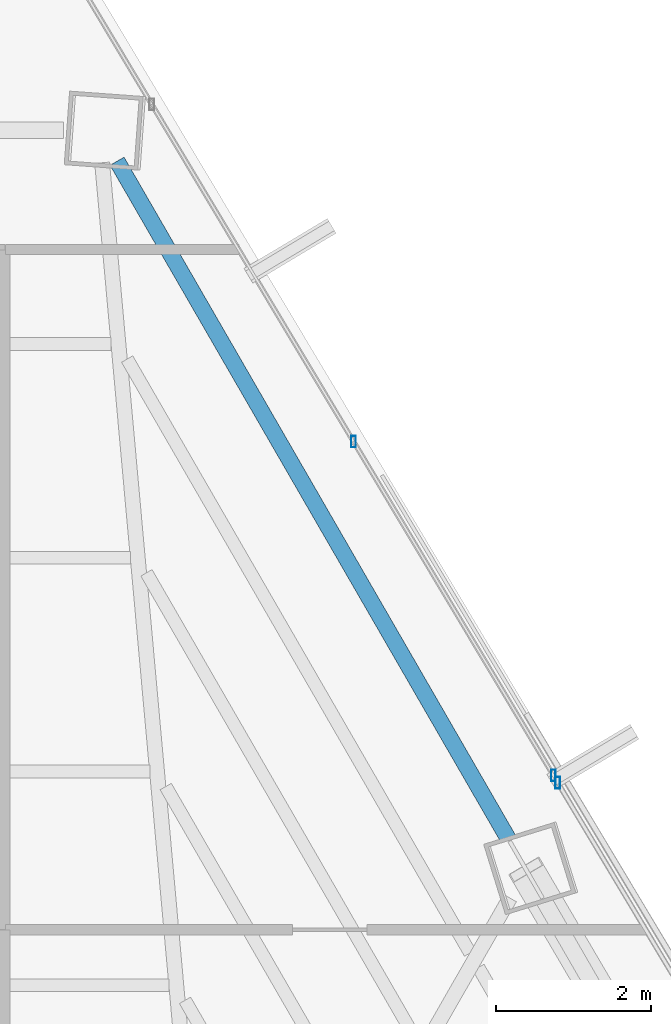
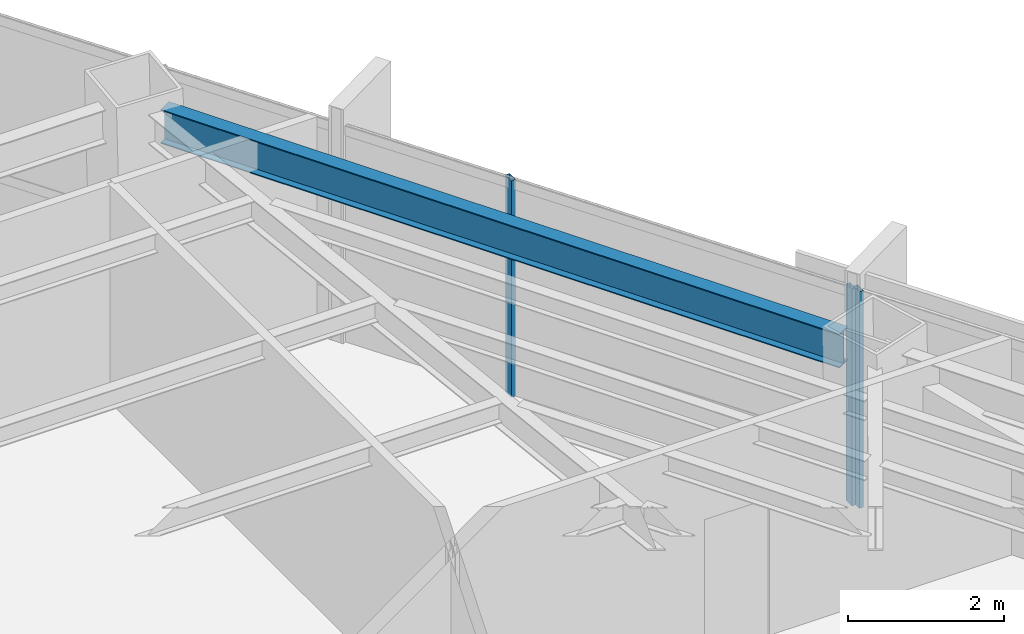
# One storey, part 32 of 41: 3 members, 1 beam, 2 elements without a shape of their own.
"""IFC4 building model written with IfcOpenShell, lengths in metres."""

from ifc_helpers import new_model, si_unit, direction, frame, origin, origin_2d, place, context, subcontext, project, spatial, hollow_rectangle, i_section, extrude, source, transform, mapped, material, material_profile, profile_set, type_object, type_shapes, element, aggregate, save


model = new_model("IFC4")

# Units and contexts
model_context = context("Model", 3, precision=1e-05, world=origin(), true_north=direction((0.0, 1.0)))
body_context = subcontext(model_context, "Body", "Model", "MODEL_VIEW")
ifc_project = project(units=[si_unit("LENGTHUNIT", "METRE"), si_unit("AREAUNIT", "SQUARE_METRE"), si_unit("VOLUMEUNIT", "CUBIC_METRE"), si_unit("PLANEANGLEUNIT", "RADIAN"), si_unit("MASSUNIT", "GRAM", prefix="KILO")], contexts=[model_context])

# Site, building, storey
site_placement = place(None, origin())
site = spatial("IfcSite", under=ifc_project, at=site_placement, CompositionType="ELEMENT")
building_placement = place(site_placement, origin())
building = spatial("IfcBuilding", under=site, at=building_placement, Name="Caelisora Broadcast Tower", CompositionType="ELEMENT")
storey_placement = place(building_placement, frame((0.0, 0.0, 162.14990234375)))
storey = spatial("IfcBuildingStorey", under=building, at=storey_placement, Name="L42", CompositionType="ELEMENT", Elevation=162.14990234375)

# Beam
ifc_material_1 = material(Name="Steel Grade 350 (AS/NZS 3679.1)", Category="steel")
ifc_material_profile_1 = material_profile(ifc_material_1, i_section(OverallWidth=0.208984375, OverallDepth=0.532958984375, WebThickness=0.01025390625, FlangeThickness=0.015625, at=origin_2d()), Name="Steel Grade 350 (AS/NZS 3679.1)")
ifc_profile_set_1 = profile_set([ifc_material_profile_1], Name="Steel Grade 350 (AS/NZS 3679.1)")
beam_type = type_object("IfcBeamType", Name="PG05", PredefinedType="BEAM", material=ifc_profile_set_1)
shared_shape_1 = source(origin(), body_context, "Body", "SweptSolid", [
    extrude(i_section(OverallWidth=0.208984375, OverallDepth=0.532958984375, WebThickness=0.01025390625, FlangeThickness=0.015625, at=origin_2d()), origin(), (0.0, 0.0, 1.0), 10.075439453125),
])
type_shapes(beam_type, [shared_shape_1])
beam_placement = place(storey_placement, frame((49.278076171875, 37.39111328125, 3.133544921875), z_axis=(-0.500009111705, 0.866020143075, 0.0), x_axis=(-0.866020143075, -0.500009111705, 0.0)))
element("IfcBeam", 1, at=beam_placement, inside=storey, type_object=beam_type, Name="L42 beam PG05", PredefinedType="BEAM", context=body_context, shape_type="MappedRepresentation", body=[
    mapped(shared_shape_1, transform((0.0, 0.0, 0.0), scale=1.0)),
])

# Curtain wall, members
ifc_material_2 = material(Name="Unitised Aluminium and Low-E Glass Curtain Wall", Category="glass")
curtain_wall_type_1 = type_object("IfcCurtainWallType", Name="CW-Z3", PredefinedType="NOTDEFINED", material=ifc_material_2)
curtain_wall_1_placement = place(storey_placement, origin())
curtain_wall_1 = element("IfcCurtainWall", 2, at=curtain_wall_1_placement, inside=storey, type_object=curtain_wall_type_1, Name="L42 curtain wall CW-Z3", PredefinedType="NOTDEFINED")
ifc_material_3 = material(Name="Aluminium 6063-T6 Anodised Terracotta Bronze", Category="aluminium")
ifc_material_profile_2 = material_profile(ifc_material_3, hollow_rectangle(XDim=0.06005859375, YDim=0.14990234375, WallThickness=0.00341796875, at=origin_2d()), Name="Aluminium 6063-T6 Anodised Terracotta Bronze")
ifc_profile_set_2 = profile_set([ifc_material_profile_2], Name="Aluminium 6063-T6 Anodised Terracotta Bronze")
member_type = type_object("IfcMemberType", Name="CWM-03", PredefinedType="MULLION", material=ifc_profile_set_2)
shared_shape_2 = source(origin(), body_context, "Body", "SweptSolid", [
    extrude(hollow_rectangle(XDim=0.06005859375, YDim=0.14990234375, WallThickness=0.00341796875, at=origin_2d()), origin(), (0.0, 0.0, 1.0), 3.400146484375),
])
type_shapes(member_type, [shared_shape_2])
member_1_placement = place(storey_placement, frame((47.285888671875, 42.506103515625, 0.0), z_axis=(0.0, 0.0, 1.0), x_axis=(1.0, 0.0, 0.0)))
member_1 = element("IfcMember", 3, at=member_1_placement, type_object=member_type, Name="L42-CW-B01 mullion #2", PredefinedType="MULLION", context=body_context, shape_type="MappedRepresentation", body=[
    mapped(shared_shape_2, transform((0.0, 0.0, 0.0), scale=1.0)),
])
member_2_placement = place(storey_placement, frame((49.858642578125, 38.207763671875, 0.0), z_axis=(0.0, 0.0, 1.0), x_axis=(1.0, 0.0, 0.0)))
member_2 = element("IfcMember", 4, at=member_2_placement, type_object=member_type, Name="L42-CW-B01 mullion #3", PredefinedType="MULLION", context=body_context, shape_type="MappedRepresentation", body=[
    mapped(shared_shape_2, transform((0.0, 0.0, 0.0), scale=1.0)),
])
aggregate(curtain_wall_1, [member_1, member_2])

# Curtain wall, member
ifc_material_4 = material(Name="Unitised Aluminium Insulated Shadow-Box Spandrel Curtain Wall", Category="aluminium")
curtain_wall_type_2 = type_object("IfcCurtainWallType", Name="CW-SP2", PredefinedType="NOTDEFINED", material=ifc_material_4)
curtain_wall_2_placement = place(storey_placement, origin())
curtain_wall_2 = element("IfcCurtainWall", 5, at=curtain_wall_2_placement, inside=storey, type_object=curtain_wall_type_2, Name="L42 curtain wall CW-SP2", PredefinedType="NOTDEFINED")
member_3_placement = place(storey_placement, frame((49.915283203125, 38.11328125, 0.0), z_axis=(0.0, 0.0, 1.0), x_axis=(1.0, 0.0, 0.0)))
member_3 = element("IfcMember", 6, at=member_3_placement, type_object=member_type, Name="L42-CW-B02 mullion #0", PredefinedType="MULLION", context=body_context, shape_type="MappedRepresentation", body=[
    mapped(shared_shape_2, transform((0.0, 0.0, 0.0), scale=1.0)),
])
aggregate(curtain_wall_2, [member_3])

save(model, "model.ifc")
